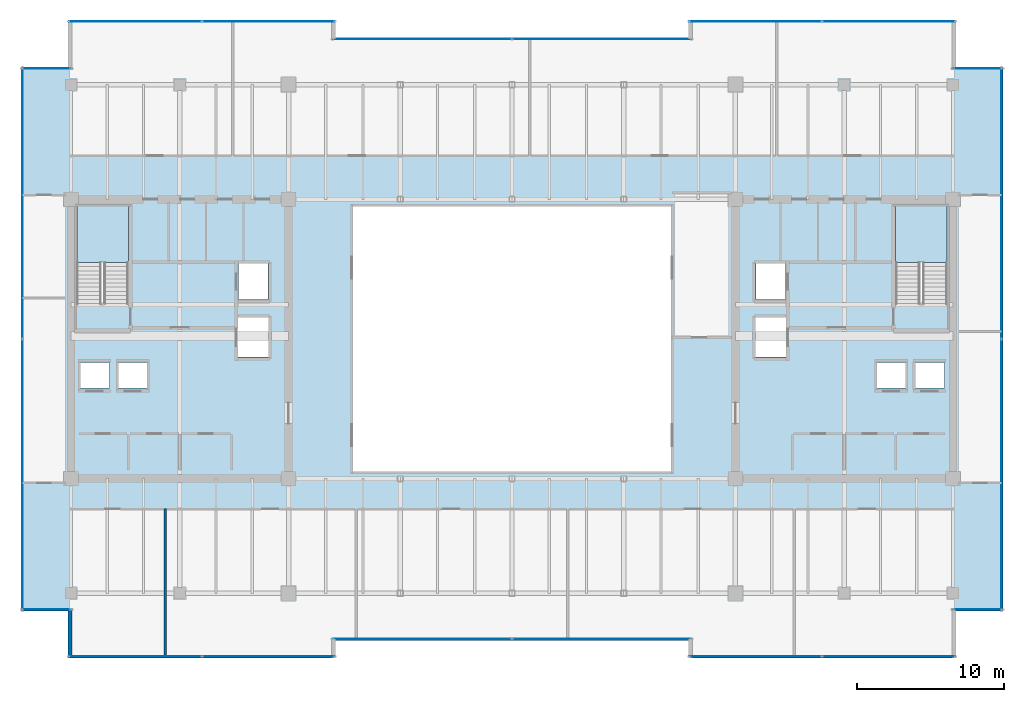
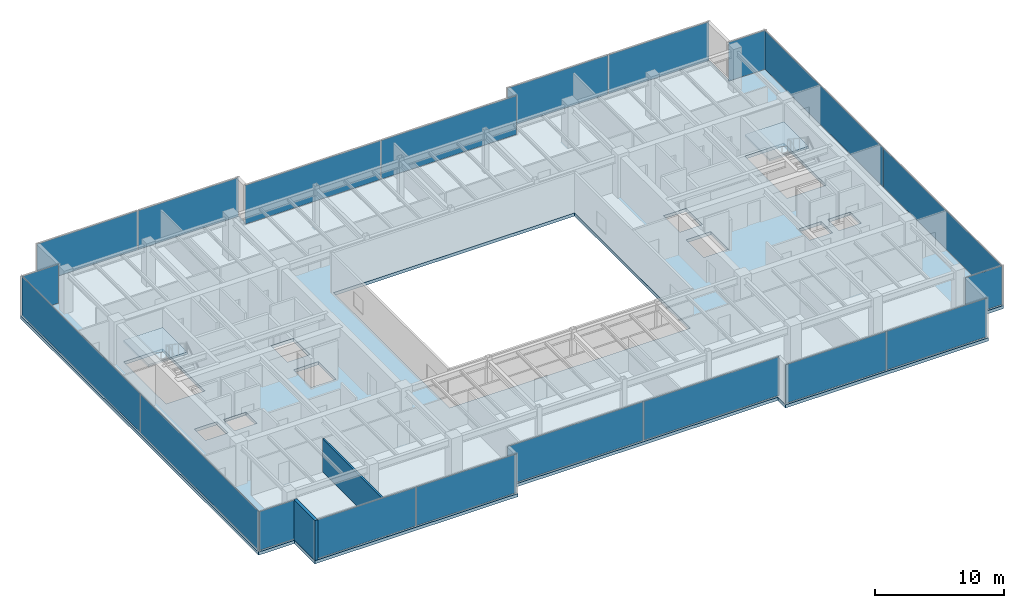
# One storey, part 27 of 35: 20 plates, 3 slabs, 2 walls, 14 elements without a shape of their own.
"""IFC4 building model written with IfcOpenShell, lengths in metres."""

from ifc_helpers import new_model, si_unit, direction, frame, frame_2d, origin, origin_2d, place, context, subcontext, project, spatial, polyline, rectangle, outline, extrude, source, transform, mapped, material, layer, layer_set, type_object, type_shapes, element, aggregate, save


model = new_model("IFC4")

# Units and contexts
model_context = context("Model", 3, precision=1e-05, world=origin(), true_north=direction((0.0, 1.0)))
body_context = subcontext(model_context, "Body", "Model", "MODEL_VIEW")
ifc_project = project(units=[si_unit("LENGTHUNIT", "METRE"), si_unit("AREAUNIT", "SQUARE_METRE"), si_unit("VOLUMEUNIT", "CUBIC_METRE"), si_unit("PLANEANGLEUNIT", "RADIAN"), si_unit("MASSUNIT", "GRAM", prefix="KILO")], contexts=[model_context])

# Site, building, storey
site_placement = place(None, origin())
site = spatial("IfcSite", under=ifc_project, at=site_placement, CompositionType="ELEMENT")
building_placement = place(site_placement, origin())
building = spatial("IfcBuilding", under=site, at=building_placement, Name="Haelvirn Gate Laboratories", CompositionType="ELEMENT")
storey_placement = place(building_placement, frame((0.0, 0.0, 226.0)))
storey = spatial("IfcBuildingStorey", under=building, at=storey_placement, Name="L54", CompositionType="ELEMENT", Elevation=226.0)

# Stair, slab
ifc_material_1 = material(Name="Concrete C40/50", Category="concrete")
stair_type = type_object("IfcStairType", Name="ST-DOG-1650-R22", PredefinedType="HALF_TURN_STAIR", material=ifc_material_1)
stair_1_placement = place(storey_placement, origin())
stair_1 = element("IfcStair", 1, at=stair_1_placement, inside=storey, type_object=stair_type, Name="L54 Escape Stair ST1", PredefinedType="HALF_TURN_STAIR")
ifc_layer_1 = layer(ifc_material_1, 0.199951171875, Name="SL-STAIR-LND")
ifc_layer_set_1 = layer_set([ifc_layer_1], Name="Concrete C40/50")
slab_type_1 = type_object("IfcSlabType", Name="SL-STAIR-LND", PredefinedType="LANDING", material=ifc_layer_set_1)
slab_1_placement = place(storey_placement, frame((0.0, 0.0, 1.85009765625)))
slab_1 = element("IfcSlab", 2, at=slab_1_placement, type_object=slab_type_1, Name="ST1 landing 1", PredefinedType="LANDING", context=body_context, shape_type="SweptSolid", body=[
    extrude(outline(polyline([(11.300048828125, 29.5), (11.300048828125, 33.35009765625), (7.800048828125, 33.35009765625), (7.800048828125, 29.5), (11.300048828125, 29.5)])), origin(), (0.0, 0.0, 1.0), 0.199951171875),
])
aggregate(stair_1, [slab_1])

stair_2_placement = place(storey_placement, origin())
stair_2 = element("IfcStair", 3, at=stair_2_placement, inside=storey, type_object=stair_type, Name="L54 Escape Stair ST2", PredefinedType="HALF_TURN_STAIR")
slab_2_placement = place(storey_placement, frame((0.0, 0.0, 1.85009765625)))
slab_2 = element("IfcSlab", 4, at=slab_2_placement, type_object=slab_type_1, Name="ST2 landing 1", PredefinedType="LANDING", context=body_context, shape_type="SweptSolid", body=[
    extrude(outline(polyline([(67.0, 29.5), (67.0, 33.35009765625), (63.5, 33.35009765625), (63.5, 29.5), (67.0, 29.5)])), origin(), (0.0, 0.0, 1.0), 0.199951171875),
])
aggregate(stair_2, [slab_2])

# Slab
ifc_layer_2 = layer(ifc_material_1, 0.300048828125, Name="SL-Z3-300")
ifc_layer_set_2 = layer_set([ifc_layer_2], Name="Concrete C40/50")
slab_type_2 = type_object("IfcSlabType", Name="SL-Z3-300", PredefinedType="FLOOR", material=ifc_layer_set_2)
slab_3_placement = place(storey_placement, frame((0.0, 0.0, -0.300048828125)))
element("IfcSlab", 5, at=slab_3_placement, inside=storey, type_object=slab_type_2, Name="L54 Structural Slab MAIN", PredefinedType="FLOOR", context=body_context, shape_type="SweptSolid", body=[
    extrude(outline(polyline([(7.199951171875, 2.60009765625), (25.39990234375, 2.60009765625), (25.39990234375, 3.800048828125), (49.39990234375, 3.800048828125), (49.39990234375, 2.60009765625), (67.60009765625, 2.60009765625), (67.60009765625, 5.800048828125), (70.800048828125, 5.800048828125), (70.800048828125, 42.800048828125), (67.60009765625, 42.800048828125), (67.60009765625, 46.0), (49.39990234375, 46.0), (49.39990234375, 44.800048828125), (25.39990234375, 44.800048828125), (25.39990234375, 46.0), (7.199951171875, 46.0), (7.199951171875, 42.800048828125), (4.0, 42.800048828125), (4.0, 5.800048828125), (7.199951171875, 5.800048828125), (7.199951171875, 2.60009765625)]), holes=[polyline([(26.60009765625, 15.300048828125), (48.199951171875, 15.300048828125), (48.199951171875, 33.300048828125), (26.60009765625, 33.300048828125), (26.60009765625, 15.300048828125)]), polyline([(11.300048828125, 26.780029296875), (11.300048828125, 33.35009765625), (7.800048828125, 33.35009765625), (7.800048828125, 26.780029296875), (11.300048828125, 26.780029296875)]), polyline([(67.0, 26.780029296875), (67.0, 33.35009765625), (63.5, 33.35009765625), (63.5, 26.780029296875), (67.0, 26.780029296875)]), polyline([(7.989990234375, 20.969970703125), (10.010009765625, 20.969970703125), (10.010009765625, 22.7099609375), (7.989990234375, 22.7099609375), (7.989990234375, 20.969970703125)]), polyline([(10.590087890625, 20.969970703125), (12.610107421875, 20.969970703125), (12.610107421875, 22.7099609375), (10.590087890625, 22.7099609375), (10.590087890625, 20.969970703125)]), polyline([(18.7900390625, 26.969970703125), (20.81005859375, 26.969970703125), (20.81005859375, 29.510009765625), (18.7900390625, 29.510009765625), (18.7900390625, 26.969970703125)]), polyline([(18.68994140625, 23.070068359375), (20.909912109375, 23.070068359375), (20.909912109375, 25.81005859375), (18.68994140625, 25.81005859375), (18.68994140625, 23.070068359375)]), polyline([(64.7900390625, 20.969970703125), (66.81005859375, 20.969970703125), (66.81005859375, 22.7099609375), (64.7900390625, 22.7099609375), (64.7900390625, 20.969970703125)]), polyline([(62.18994140625, 20.969970703125), (64.2099609375, 20.969970703125), (64.2099609375, 22.7099609375), (62.18994140625, 22.7099609375), (62.18994140625, 20.969970703125)]), polyline([(53.989990234375, 26.969970703125), (56.010009765625, 26.969970703125), (56.010009765625, 29.510009765625), (53.989990234375, 29.510009765625), (53.989990234375, 26.969970703125)]), polyline([(53.889892578125, 23.070068359375), (56.110107421875, 23.070068359375), (56.110107421875, 25.81005859375), (53.889892578125, 25.81005859375), (53.889892578125, 23.070068359375)])]), origin(), (0.0, 0.0, 1.0), 0.300048828125),
])

# Curtain wall, plates
ifc_material_2 = material(Name="Anodised bronze unitised aluminium & triple low-E glass", Category="aluminium")
ifc_layer_3 = layer(ifc_material_2, 0.176025390625, Name="CW-SYS-4")
ifc_layer_set_3 = layer_set([ifc_layer_3], Name="Anodised bronze unitised aluminium & triple low-E glass")
curtain_wall_type_1 = type_object("IfcCurtainWallType", Name="CW-SYS-4", PredefinedType="NOTDEFINED", material=ifc_layer_set_3)
curtain_wall_1_placement = place(storey_placement, origin())
curtain_wall_1 = element("IfcCurtainWall", 6, at=curtain_wall_1_placement, inside=storey, type_object=curtain_wall_type_1, Name="L54 Unitised Curtain Wall CW-L54-P0-E00-1", PredefinedType="NOTDEFINED")
ifc_material_3 = material(Name="Acoustic laminated bronze triple IGU 36 mm", Category="glass")
ifc_layer_4 = layer(ifc_material_3, 0.035888671875, Name="CWP-IGU-36")
ifc_layer_set_4 = layer_set([ifc_layer_4], Name="Acoustic laminated bronze triple IGU 36 mm")
plate_type_1 = type_object("IfcPlateType", Name="CWP-IGU-36", PredefinedType="CURTAIN_PANEL", material=ifc_layer_set_4)
shared_shape_1 = source(origin(), body_context, "Body", "SweptSolid", [
    extrude(rectangle(XDim=8.9951171875, YDim=0.035888671875, at=origin_2d()), origin(), (0.0, 0.0, 1.0), 3.669921875),
])
plate_1_placement = place(storey_placement, frame((11.767578125, 2.699951171875, 0.06494140625), z_axis=(0.0, 0.0, 1.0), x_axis=(1.0, 0.0, 0.0)))
plate_1 = element("IfcPlate", 7, at=plate_1_placement, type_object=plate_type_1, Name="CW4 panel 1.1", PredefinedType="CURTAIN_PANEL", context=body_context, shape_type="MappedRepresentation", body=[
    mapped(shared_shape_1, transform((0.0, 0.0, 0.0), scale=1.0)),
])
plate_2_placement = place(storey_placement, frame((20.83251953125, 2.699951171875, 0.06494140625), z_axis=(0.0, 0.0, 1.0), x_axis=(1.0, 0.0, 0.0)))
plate_2 = element("IfcPlate", 8, at=plate_2_placement, type_object=plate_type_1, Name="CW4 panel 2.1", PredefinedType="CURTAIN_PANEL", context=body_context, shape_type="MappedRepresentation", body=[
    mapped(shared_shape_1, transform((0.0, 0.0, 0.0), scale=1.0)),
])
aggregate(curtain_wall_1, [plate_1, plate_2])

curtain_wall_2_placement = place(storey_placement, origin())
curtain_wall_2 = element("IfcCurtainWall", 9, at=curtain_wall_2_placement, inside=storey, type_object=curtain_wall_type_1, Name="L54 Unitised Curtain Wall CW-L54-P0-E04-1", PredefinedType="NOTDEFINED")
plate_3_placement = place(storey_placement, frame((53.967529296875, 2.699951171875, 0.06494140625), z_axis=(0.0, 0.0, 1.0), x_axis=(1.0, 0.0, 0.0)))
plate_3 = element("IfcPlate", 10, at=plate_3_placement, type_object=plate_type_1, Name="CW4 panel 1.1", PredefinedType="CURTAIN_PANEL", context=body_context, shape_type="MappedRepresentation", body=[
    mapped(shared_shape_1, transform((0.0, 0.0, 0.0), scale=1.0)),
])
plate_4_placement = place(storey_placement, frame((63.032470703125, 2.699951171875, 0.06494140625), z_axis=(0.0, 0.0, 1.0), x_axis=(1.0, 0.0, 0.0)))
plate_4 = element("IfcPlate", 11, at=plate_4_placement, type_object=plate_type_1, Name="CW4 panel 2.1", PredefinedType="CURTAIN_PANEL", context=body_context, shape_type="MappedRepresentation", body=[
    mapped(shared_shape_1, transform((0.0, 0.0, 0.0), scale=1.0)),
])
aggregate(curtain_wall_2, [plate_3, plate_4])

curtain_wall_3_placement = place(storey_placement, origin())
curtain_wall_3 = element("IfcCurtainWall", 12, at=curtain_wall_3_placement, inside=storey, type_object=curtain_wall_type_1, Name="L54 Unitised Curtain Wall CW-L54-P0-E10-1", PredefinedType="NOTDEFINED")
plate_5_placement = place(storey_placement, frame((53.967529296875, 45.89990234375, 0.06494140625), z_axis=(0.0, 0.0, 1.0), x_axis=(1.0, 0.0, 0.0)))
plate_5 = element("IfcPlate", 13, at=plate_5_placement, type_object=plate_type_1, Name="CW4 panel 1.1", PredefinedType="CURTAIN_PANEL", context=body_context, shape_type="MappedRepresentation", body=[
    mapped(shared_shape_1, transform((0.0, 0.0, 0.0), scale=1.0)),
])
plate_6_placement = place(storey_placement, frame((63.032470703125, 45.89990234375, 0.06494140625), z_axis=(0.0, 0.0, 1.0), x_axis=(1.0, 0.0, 0.0)))
plate_6 = element("IfcPlate", 14, at=plate_6_placement, type_object=plate_type_1, Name="CW4 panel 2.1", PredefinedType="CURTAIN_PANEL", context=body_context, shape_type="MappedRepresentation", body=[
    mapped(shared_shape_1, transform((0.0, 0.0, 0.0), scale=1.0)),
])
aggregate(curtain_wall_3, [plate_5, plate_6])

curtain_wall_4_placement = place(storey_placement, origin())
curtain_wall_4 = element("IfcCurtainWall", 15, at=curtain_wall_4_placement, inside=storey, type_object=curtain_wall_type_1, Name="L54 Unitised Curtain Wall CW-L54-P0-E14-1", PredefinedType="NOTDEFINED")
plate_7_placement = place(storey_placement, frame((11.767578125, 45.89990234375, 0.06494140625), z_axis=(0.0, 0.0, 1.0), x_axis=(1.0, 0.0, 0.0)))
plate_7 = element("IfcPlate", 16, at=plate_7_placement, type_object=plate_type_1, Name="CW4 panel 1.1", PredefinedType="CURTAIN_PANEL", context=body_context, shape_type="MappedRepresentation", body=[
    mapped(shared_shape_1, transform((0.0, 0.0, 0.0), scale=1.0)),
])
plate_8_placement = place(storey_placement, frame((20.83251953125, 45.89990234375, 0.06494140625), z_axis=(0.0, 0.0, 1.0), x_axis=(1.0, 0.0, 0.0)))
plate_8 = element("IfcPlate", 17, at=plate_8_placement, type_object=plate_type_1, Name="CW4 panel 2.1", PredefinedType="CURTAIN_PANEL", context=body_context, shape_type="MappedRepresentation", body=[
    mapped(shared_shape_1, transform((0.0, 0.0, 0.0), scale=1.0)),
])
aggregate(curtain_wall_4, [plate_7, plate_8])

curtain_wall_5_placement = place(storey_placement, origin())
curtain_wall_5 = element("IfcCurtainWall", 18, at=curtain_wall_5_placement, inside=storey, type_object=curtain_wall_type_1, Name="L54 Unitised Curtain Wall CW-L54-P0-E02-1", PredefinedType="NOTDEFINED")
shared_shape_2 = source(origin(), body_context, "Body", "SweptSolid", [
    extrude(rectangle(XDim=12.135009765625, YDim=0.035888671875, at=origin_2d()), origin(), (0.0, 0.0, 1.0), 3.669921875),
])
plate_9_placement = place(storey_placement, frame((31.297607421875, 3.89990234375, 0.06494140625), z_axis=(0.0, 0.0, 1.0), x_axis=(1.0, 0.0, 0.0)))
plate_9 = element("IfcPlate", 19, at=plate_9_placement, type_object=plate_type_1, Name="CW4 panel 1.1", PredefinedType="CURTAIN_PANEL", context=body_context, shape_type="MappedRepresentation", body=[
    mapped(shared_shape_2, transform((0.0, 0.0, 0.0), scale=1.0)),
])
plate_10_placement = place(storey_placement, frame((43.50244140625, 3.89990234375, 0.06494140625), z_axis=(0.0, 0.0, 1.0), x_axis=(1.0, 0.0, 0.0)))
plate_10 = element("IfcPlate", 20, at=plate_10_placement, type_object=plate_type_1, Name="CW4 panel 2.1", PredefinedType="CURTAIN_PANEL", context=body_context, shape_type="MappedRepresentation", body=[
    mapped(shared_shape_2, transform((0.0, 0.0, 0.0), scale=1.0)),
])
aggregate(curtain_wall_5, [plate_9, plate_10])

curtain_wall_6_placement = place(storey_placement, origin())
curtain_wall_6 = element("IfcCurtainWall", 21, at=curtain_wall_6_placement, inside=storey, type_object=curtain_wall_type_1, Name="L54 Unitised Curtain Wall CW-L54-P0-E12-1", PredefinedType="NOTDEFINED")
plate_11_placement = place(storey_placement, frame((31.297607421875, 44.699951171875, 0.06494140625), z_axis=(0.0, 0.0, 1.0), x_axis=(1.0, 0.0, 0.0)))
plate_11 = element("IfcPlate", 22, at=plate_11_placement, type_object=plate_type_1, Name="CW4 panel 1.1", PredefinedType="CURTAIN_PANEL", context=body_context, shape_type="MappedRepresentation", body=[
    mapped(shared_shape_2, transform((0.0, 0.0, 0.0), scale=1.0)),
])
plate_12_placement = place(storey_placement, frame((43.50244140625, 44.699951171875, 0.06494140625), z_axis=(0.0, 0.0, 1.0), x_axis=(1.0, 0.0, 0.0)))
plate_12 = element("IfcPlate", 23, at=plate_12_placement, type_object=plate_type_1, Name="CW4 panel 2.1", PredefinedType="CURTAIN_PANEL", context=body_context, shape_type="MappedRepresentation", body=[
    mapped(shared_shape_2, transform((0.0, 0.0, 0.0), scale=1.0)),
])
aggregate(curtain_wall_6, [plate_11, plate_12])

# Curtain wall, plate
ifc_layer_5 = layer(ifc_material_2, 0.181884765625, Name="CW-SYS-5")
ifc_layer_set_5 = layer_set([ifc_layer_5], Name="Anodised bronze unitised aluminium & triple low-E glass")
curtain_wall_type_2 = type_object("IfcCurtainWallType", Name="CW-SYS-5", PredefinedType="NOTDEFINED", material=ifc_layer_set_5)
curtain_wall_7_placement = place(storey_placement, origin())
curtain_wall_7 = element("IfcCurtainWall", 24, at=curtain_wall_7_placement, inside=storey, type_object=curtain_wall_type_2, Name="L54 Unitised Curtain Wall CW-L54-P0-E06-1", PredefinedType="NOTDEFINED")
ifc_material_4 = material(Name="Clear low-iron notched-corner triple IGU 42 mm", Category="glass")
ifc_layer_6 = layer(ifc_material_4, 0.0419921875, Name="CWP-NTC-42")
ifc_layer_set_6 = layer_set([ifc_layer_6], Name="Clear low-iron notched-corner triple IGU 42 mm")
plate_type_2 = type_object("IfcPlateType", Name="CWP-NTC-42", PredefinedType="CURTAIN_PANEL", material=ifc_layer_set_6)
shared_shape_3 = source(origin(), body_context, "Body", "SweptSolid", [
    extrude(rectangle(XDim=3.280029296875, YDim=0.0419921875, at=origin_2d()), origin(), (0.0, 0.0, 1.0), 3.669921875),
])
type_shapes(plate_type_2, [shared_shape_3])
plate_13_placement = place(storey_placement, frame((69.080078125, 5.89990234375, 0.06494140625), z_axis=(0.0, 0.0, 1.0), x_axis=(1.0, 0.0, 0.0)))
plate_13 = element("IfcPlate", 25, at=plate_13_placement, type_object=plate_type_2, Name="CW5 panel 1.1", PredefinedType="CURTAIN_PANEL", context=body_context, shape_type="MappedRepresentation", body=[
    mapped(shared_shape_3, transform((0.0, 0.0, 0.0), scale=1.0)),
])
aggregate(curtain_wall_7, [plate_13])

curtain_wall_8_placement = place(storey_placement, origin())
curtain_wall_8 = element("IfcCurtainWall", 26, at=curtain_wall_8_placement, inside=storey, type_object=curtain_wall_type_2, Name="L54 Unitised Curtain Wall CW-L54-P0-E08-1", PredefinedType="NOTDEFINED")
plate_14_placement = place(storey_placement, frame((69.080078125, 42.699951171875, 0.06494140625), z_axis=(0.0, 0.0, 1.0), x_axis=(1.0, 0.0, 0.0)))
plate_14 = element("IfcPlate", 27, at=plate_14_placement, type_object=plate_type_2, Name="CW5 panel 1.1", PredefinedType="CURTAIN_PANEL", context=body_context, shape_type="MappedRepresentation", body=[
    mapped(shared_shape_3, transform((0.0, 0.0, 0.0), scale=1.0)),
])
aggregate(curtain_wall_8, [plate_14])

curtain_wall_9_placement = place(storey_placement, origin())
curtain_wall_9 = element("IfcCurtainWall", 28, at=curtain_wall_9_placement, inside=storey, type_object=curtain_wall_type_2, Name="L54 Unitised Curtain Wall CW-L54-P0-E16-1", PredefinedType="NOTDEFINED")
plate_15_placement = place(storey_placement, frame((5.719970703125, 42.699951171875, 0.06494140625), z_axis=(0.0, 0.0, 1.0), x_axis=(1.0, 0.0, 0.0)))
plate_15 = element("IfcPlate", 29, at=plate_15_placement, type_object=plate_type_2, Name="CW5 panel 1.1", PredefinedType="CURTAIN_PANEL", context=body_context, shape_type="MappedRepresentation", body=[
    mapped(shared_shape_3, transform((0.0, 0.0, 0.0), scale=1.0)),
])
aggregate(curtain_wall_9, [plate_15])

curtain_wall_10_placement = place(storey_placement, origin())
curtain_wall_10 = element("IfcCurtainWall", 30, at=curtain_wall_10_placement, inside=storey, type_object=curtain_wall_type_2, Name="L54 Unitised Curtain Wall CW-L54-P0-E18-1", PredefinedType="NOTDEFINED")
plate_16_placement = place(storey_placement, frame((5.719970703125, 5.89990234375, 0.06494140625), z_axis=(0.0, 0.0, 1.0), x_axis=(1.0, 0.0, 0.0)))
plate_16 = element("IfcPlate", 31, at=plate_16_placement, type_object=plate_type_2, Name="CW5 panel 1.1", PredefinedType="CURTAIN_PANEL", context=body_context, shape_type="MappedRepresentation", body=[
    mapped(shared_shape_3, transform((0.0, 0.0, 0.0), scale=1.0)),
])
aggregate(curtain_wall_10, [plate_16])

# Curtain wall, plates
curtain_wall_11_placement = place(storey_placement, origin())
curtain_wall_11 = element("IfcCurtainWall", 32, at=curtain_wall_11_placement, inside=storey, type_object=curtain_wall_type_1, Name="L54 Unitised Curtain Wall CW-L54-P0-E07", PredefinedType="NOTDEFINED")
shared_shape_4 = source(origin(), body_context, "Body", "SweptSolid", [
    extrude(rectangle(XDim=18.39501953125, YDim=0.035888671875, at=origin_2d()), origin(), (0.0, 0.0, 1.0), 3.669921875),
])
type_shapes(plate_type_1, [shared_shape_1, shared_shape_2, shared_shape_4])
plate_17_placement = place(storey_placement, frame((70.699951171875, 15.0673828125, 0.06494140625), z_axis=(0.0, 0.0, 1.0), x_axis=(0.0, 1.0, 0.0)))
plate_17 = element("IfcPlate", 33, at=plate_17_placement, type_object=plate_type_1, Name="CW4 panel 1.1", PredefinedType="CURTAIN_PANEL", context=body_context, shape_type="MappedRepresentation", body=[
    mapped(shared_shape_4, transform((0.0, 0.0, 0.0), scale=1.0)),
])
plate_18_placement = place(storey_placement, frame((70.699951171875, 33.532470703125, 0.06494140625), z_axis=(0.0, 0.0, 1.0), x_axis=(0.0, 1.0, 0.0)))
plate_18 = element("IfcPlate", 34, at=plate_18_placement, type_object=plate_type_1, Name="CW4 panel 2.1", PredefinedType="CURTAIN_PANEL", context=body_context, shape_type="MappedRepresentation", body=[
    mapped(shared_shape_4, transform((0.0, 0.0, 0.0), scale=1.0)),
])
aggregate(curtain_wall_11, [plate_17, plate_18])

curtain_wall_12_placement = place(storey_placement, origin())
curtain_wall_12 = element("IfcCurtainWall", 35, at=curtain_wall_12_placement, inside=storey, type_object=curtain_wall_type_1, Name="L54 Unitised Curtain Wall CW-L54-P0-E17", PredefinedType="NOTDEFINED")
plate_19_placement = place(storey_placement, frame((4.10009765625, 33.532470703125, 0.06494140625), z_axis=(0.0, 0.0, 1.0), x_axis=(0.0, -1.0, 0.0)))
plate_19 = element("IfcPlate", 36, at=plate_19_placement, type_object=plate_type_1, Name="CW4 panel 1.1", PredefinedType="CURTAIN_PANEL", context=body_context, shape_type="MappedRepresentation", body=[
    mapped(shared_shape_4, transform((0.0, 0.0, 0.0), scale=1.0)),
])
plate_20_placement = place(storey_placement, frame((4.10009765625, 15.0673828125, 0.06494140625), z_axis=(0.0, 0.0, 1.0), x_axis=(0.0, -1.0, 0.0)))
plate_20 = element("IfcPlate", 37, at=plate_20_placement, type_object=plate_type_1, Name="CW4 panel 2.1", PredefinedType="CURTAIN_PANEL", context=body_context, shape_type="MappedRepresentation", body=[
    mapped(shared_shape_4, transform((0.0, 0.0, 0.0), scale=1.0)),
])
aggregate(curtain_wall_12, [plate_19, plate_20])

# Walls
ifc_material_5 = material(Name="Thermally-broken bronze aluminium rainscreen & mineral wool", Category="aluminium")
ifc_layer_7 = layer(ifc_material_5, 0.280029296875, Name="EW-TERR-280")
ifc_layer_set_7 = layer_set([ifc_layer_7], Name="Thermally-broken bronze aluminium rainscreen & mineral wool")
wall_type_1 = type_object("IfcWallType", Name="EW-TERR-280", PredefinedType="STANDARD", material=ifc_layer_set_7)
wall_1_placement = place(storey_placement, frame((7.340087890625, 5.887939453125, 0.0), z_axis=(0.0, 0.0, 1.0), x_axis=(0.0, -1.0, 0.0)))
element("IfcWall", 38, at=wall_1_placement, inside=storey, type_object=wall_type_1, Name="L54 Atrium Recess Bronze Return Wall 19", PredefinedType="STANDARD", context=body_context, shape_type="SweptSolid", body=[
    extrude(rectangle(XDim=3.287841796875, YDim=0.280029296875, at=frame_2d((1.64404296875, 0.0))), origin(), (0.0, 0.0, 1.0), 3.800048828125),
])
ifc_material_6 = material(Name="Double-layer acoustic gypsum laboratory partition", Category="gypsum")
ifc_layer_8 = layer(ifc_material_6, 0.159912109375, Name="IW-ACOUST-160")
ifc_layer_set_8 = layer_set([ifc_layer_8], Name="Double-layer acoustic gypsum laboratory partition")
wall_type_2 = type_object("IfcWallType", Name="IW-ACOUST-160", PredefinedType="PARTITIONING", material=ifc_layer_set_8)
wall_2_placement = place(storey_placement, frame((13.800048828125, 2.7099609375, 0.0), z_axis=(0.0, 0.0, 1.0), x_axis=(0.0, 1.0, 0.0)))
element("IfcWall", 39, at=wall_2_placement, inside=storey, type_object=wall_type_2, Name="L54 Interior Wall IW-L54-SDIV-01", PredefinedType="PARTITIONING", context=body_context, shape_type="SweptSolid", body=[
    extrude(rectangle(XDim=10.030029296875, YDim=0.159912109375, at=frame_2d((5.01513671875, 0.0))), origin(), (0.0, 0.0, 1.0), 3.135009765625),
])

save(model, "model.ifc")
